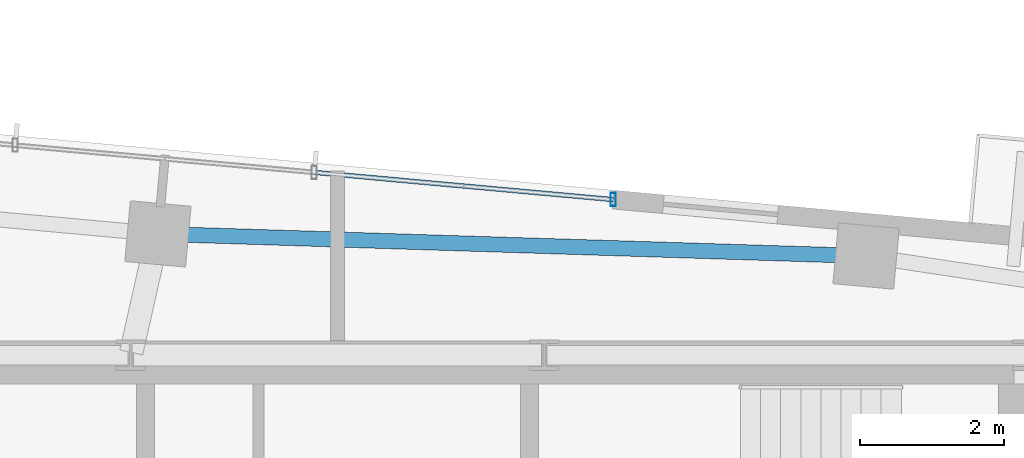
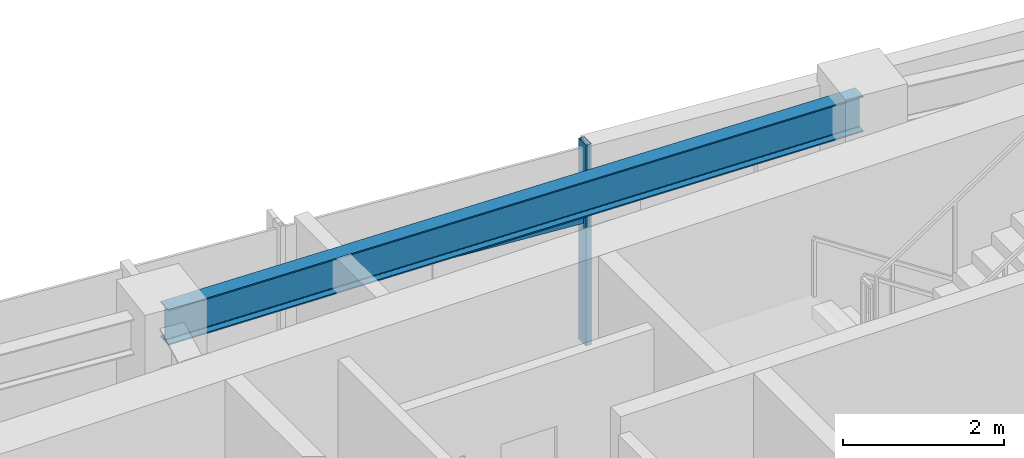
# One storey, part 11 of 22: 2 members, 1 beam, 1 element without a shape of its own.
"""IFC4 building model written with IfcOpenShell, lengths in metres."""

import ifcopenshell
import ifcopenshell.guid

model = None  # the IFC model being written
_history = None  # IfcOwnerHistory: only IFC2X3 demands one
_inside = {}  # id of a spatial element -> (the spatial element, [elements in it])
_under = {}  # id of a project, library or spatial element -> (it, [spatial elements below it])
_declared = {}  # id of a project -> (the project, [libraries it declares])
_typed = {}  # id of a type object -> (the type object, [elements of that type])
_made_of = {}  # id of a material, layer set ... -> (it, [elements and type objects made of it])


def new_model(schema):
    """Start an empty IFC model of exactly this schema.

    Asked for "IFC4X3", IfcOpenShell would pick the latest addendum, in which some entities
    have other attributes; the version numbers below select the first issue.
    IFC2X3 requires an IfcOwnerHistory on every rooted entity: one is made here for all.
    """
    global model, _history
    if schema == "IFC4X3":
        model = ifcopenshell.file(schema_version=(4, 3, 0, 0))
    else:
        model = ifcopenshell.file(schema=schema)
    _inside.clear()
    _under.clear()
    _declared.clear()
    _typed.clear()
    _made_of.clear()
    _history = None
    if model.schema == "IFC2X3":
        org = make("IfcOrganization", Name="unknown")
        user = make(
            "IfcPersonAndOrganization",
            ThePerson=make("IfcPerson", FamilyName="unknown"),
            TheOrganization=org,
        )
        app = make(
            "IfcApplication",
            ApplicationDeveloper=org,
            Version="unknown",
            ApplicationFullName="unknown",
            ApplicationIdentifier="unknown",
        )
        _history = make(
            "IfcOwnerHistory",
            OwningUser=user,
            OwningApplication=app,
            ChangeAction="ADDED",
            CreationDate=0,
        )
    return model


def make(cls, **values):
    """One entity of the class cls with the attributes given. An attribute that is None is left unset."""
    return model.create_entity(
        cls, **{name: value for name, value in values.items() if value is not None}
    )


def rooted(cls, **values):
    """An entity with a GlobalId (a new one), such as an element, a storey or a relation."""
    return make(cls, GlobalId=ifcopenshell.guid.new(), OwnerHistory=_history, **values)


def si_unit(unit_type, name, prefix=None):
    """IfcSIUnit, for example si_unit("LENGTHUNIT", "METRE", prefix="MILLI")."""
    return make("IfcSIUnit", UnitType=unit_type, Prefix=prefix, Name=name)


def assignment(units):
    """IfcUnitAssignment: the units of a project."""
    return None if units is None else make("IfcUnitAssignment", Units=units)


def point(xyz):
    """IfcCartesianPoint."""
    return None if xyz is None else make("IfcCartesianPoint", Coordinates=xyz)


def direction(xyz):
    """IfcDirection."""
    return None if xyz is None else make("IfcDirection", DirectionRatios=xyz)


def frame(location, z_axis=None, x_axis=None):
    """IfcAxis2Placement3D, a coordinate frame: its origin and axes. An axis left out is left unset."""
    return make(
        "IfcAxis2Placement3D",
        Location=point(location),
        Axis=direction(z_axis),
        RefDirection=direction(x_axis),
    )


def frame_2d(location, x_axis=None):
    """IfcAxis2Placement2D, a coordinate frame in the plane: its origin and x axis."""
    return make(
        "IfcAxis2Placement2D", Location=point(location), RefDirection=direction(x_axis)
    )


def origin():
    """The frame at (0, 0, 0) with its axes left unset."""
    return frame((0.0, 0.0, 0.0))


def origin_2d():
    """The frame at (0, 0) in the plane with its x axis left unset."""
    return frame_2d((0.0, 0.0))


def place(relative_to, where):
    """IfcLocalPlacement: puts the frame where relative to a parent placement (None: the world)."""
    return make(
        "IfcLocalPlacement", PlacementRelTo=relative_to, RelativePlacement=where
    )


def context(
    kind, dimensions, precision=None, world=None, true_north=None, identifier=None
):
    """IfcGeometricRepresentationContext, for example the 3D "Model" context."""
    return make(
        "IfcGeometricRepresentationContext",
        ContextIdentifier=identifier,
        ContextType=kind,
        CoordinateSpaceDimension=dimensions,
        Precision=precision,
        WorldCoordinateSystem=world,
        TrueNorth=true_north,
    )


def subcontext(parent, identifier, kind, view, scale=None):
    """IfcGeometricRepresentationSubContext, for example "Body" below "Model"."""
    return make(
        "IfcGeometricRepresentationSubContext",
        ContextIdentifier=identifier,
        ContextType=kind,
        ParentContext=parent,
        TargetScale=scale,
        TargetView=view,
    )


def project(units=None, contexts=None):
    """IfcProject with its units and contexts."""
    return rooted(
        "IfcProject",
        Name="project",
        RepresentationContexts=contexts,
        UnitsInContext=assignment(units),
    )


def spatial(cls, under=None, at=None, **own):
    """A site, building, storey or space (cls), placed at a placement, below another one or the project."""
    s = rooted(cls, ObjectPlacement=at, **own)
    if under is not None:
        _under.setdefault(under.id(), (under, []))[1].append(s)
    return s


def profile(cls, at=None, kind="AREA", **sizes):
    """A parametric profile (cls). Its sizes go by their IFC names, for example OverallWidth=200.0."""
    return make(cls, ProfileType=kind, Position=at, **sizes)


def hollow_rectangle(**sizes):
    """IfcRectangleHollowProfileDef."""
    return profile("IfcRectangleHollowProfileDef", **sizes)


def i_section(**sizes):
    """IfcIShapeProfileDef."""
    return profile("IfcIShapeProfileDef", **sizes)


def extrude(swept, where, along, depth):
    """IfcExtrudedAreaSolid: the profile swept, set in the frame where, extruded along a direction by depth."""
    return make(
        "IfcExtrudedAreaSolid",
        SweptArea=swept,
        Position=where,
        ExtrudedDirection=direction(along),
        Depth=depth,
    )


def shape(context_of_items, identifier, shape_type, items):
    """IfcShapeRepresentation: the items that make up one representation, for example the "Body"."""
    return make(
        "IfcShapeRepresentation",
        ContextOfItems=context_of_items,
        RepresentationIdentifier=identifier,
        RepresentationType=shape_type,
        Items=items,
    )


def source(mapping_origin, context_of_items, identifier, shape_type, items):
    """IfcRepresentationMap: a shape defined once, which mapped items show again and again."""
    return make(
        "IfcRepresentationMap",
        MappingOrigin=mapping_origin,
        MappedRepresentation=shape(context_of_items, identifier, shape_type, items),
    )


def transform(
    local_origin,
    x_axis=None,
    y_axis=None,
    z_axis=None,
    scale=None,
    scale2=None,
    scale3=None,
    uniform=True,
):
    """IfcCartesianTransformationOperator3D, or its non-uniform kind. x_axis, y_axis, z_axis: its Axis1, 2, 3."""
    if uniform:
        return make(
            "IfcCartesianTransformationOperator3D",
            Axis1=direction(x_axis),
            Axis2=direction(y_axis),
            LocalOrigin=point(local_origin),
            Scale=scale,
            Axis3=direction(z_axis),
        )
    return make(
        "IfcCartesianTransformationOperator3DnonUniform",
        Axis1=direction(x_axis),
        Axis2=direction(y_axis),
        LocalOrigin=point(local_origin),
        Scale=scale,
        Axis3=direction(z_axis),
        Scale2=scale2,
        Scale3=scale3,
    )


def mapped(mapping_source, mapping_target):
    """IfcMappedItem: shows the shape of a source again, moved by a transform."""
    return make(
        "IfcMappedItem", MappingSource=mapping_source, MappingTarget=mapping_target
    )


def material(Name=None, Category=None):
    """IfcMaterial."""
    return make("IfcMaterial", Name=Name, Category=Category)


def material_profile(
    of_material, cross_section, Name=None, Category=None, Priority=None
):
    """IfcMaterialProfile: a cross section and its material."""
    return make(
        "IfcMaterialProfile",
        Name=Name,
        Material=of_material,
        Profile=cross_section,
        Priority=Priority,
        Category=Category,
    )


def profile_set(profiles, Name=None, composite=None):
    """IfcMaterialProfileSet."""
    return make(
        "IfcMaterialProfileSet",
        Name=Name,
        MaterialProfiles=profiles,
        CompositeProfile=composite,
    )


def made_of(thing, what):
    """Note that an element or type object is made of a material, layer set ...; save() writes the relation."""
    if what is not None:
        _made_of.setdefault(what.id(), (what, []))[1].append(thing)
    return thing


def type_object(cls, material=None, **own):
    """A type object (cls), such as IfcWallType, which elements share."""
    return made_of(rooted(cls, **own), material)


def type_shapes(of_type, sources):
    """Give a type object the sources (RepresentationMaps) that its elements show as mapped items."""
    of_type.RepresentationMaps = sources


def element(
    cls,
    number,
    at=None,
    inside=None,
    cuts=None,
    type_object=None,
    material=None,
    context=None,
    identifier="Body",
    shape_type=None,
    held_by="IfcProductDefinitionShape",
    body=None,
    shapes=None,
    **own,
):
    """One element of the class cls, such as IfcWall. Its Tag is "e" and its number.

    at: its placement. inside: the storey or other place that contains it. cuts: it is an
    opening in that element (IfcRelVoidsElement). A single representation is given by context,
    identifier, shape_type and body (its items); several are given by shapes. held_by: the class
    of the entity that holds the representations. save() writes the other relations.
    """
    e = rooted(cls, Tag="e%d" % number, ObjectPlacement=at, **own)
    if body is not None:
        shapes = [shape(context, identifier, shape_type, body)]
    if shapes is not None:
        e.Representation = make(held_by, Representations=shapes)
    if inside is not None:
        _inside.setdefault(inside.id(), (inside, []))[1].append(e)
    if cuts is not None:
        rooted(
            "IfcRelVoidsElement", RelatingBuildingElement=cuts, RelatedOpeningElement=e
        )
    if type_object is not None:
        _typed.setdefault(type_object.id(), (type_object, []))[1].append(e)
    return made_of(e, material)


def aggregate(whole, parts):
    """IfcRelAggregates: a whole, such as a stair, and the parts it consists of."""
    return rooted("IfcRelAggregates", RelatingObject=whole, RelatedObjects=parts)


def save(model, path):
    """Write the relations noted so far, then the file.

    IfcRelAggregates (storeys below a building ...), IfcRelContainedInSpatialStructure (elements
    in a storey), IfcRelDefinesByType, IfcRelAssociatesMaterial and IfcRelDeclares: one each for
    every whole, place, type object, material and project.
    """
    for whole, parts in _under.values():
        aggregate(whole, parts)
    for where, things in _inside.values():
        rooted(
            "IfcRelContainedInSpatialStructure",
            RelatedElements=things,
            RelatingStructure=where,
        )
    for kind, things in _typed.values():
        rooted("IfcRelDefinesByType", RelatedObjects=things, RelatingType=kind)
    for what, things in _made_of.values():
        rooted("IfcRelAssociatesMaterial", RelatedObjects=things, RelatingMaterial=what)
    for by, libraries in _declared.values():
        rooted("IfcRelDeclares", RelatingContext=by, RelatedDefinitions=libraries)
    model.write(path)


model = new_model("IFC4")

# Units and contexts
model_context = context("Model", 3, precision=1e-05, world=origin(), true_north=direction((0.0, 1.0)))
body_context = subcontext(model_context, "Body", "Model", "MODEL_VIEW")
ifc_project = project(units=[si_unit("LENGTHUNIT", "METRE"), si_unit("AREAUNIT", "SQUARE_METRE"), si_unit("VOLUMEUNIT", "CUBIC_METRE"), si_unit("PLANEANGLEUNIT", "RADIAN"), si_unit("MASSUNIT", "GRAM", prefix="KILO")], contexts=[model_context])

# Site, building, storey
site_placement = place(None, origin())
site = spatial("IfcSite", under=ifc_project, at=site_placement, CompositionType="ELEMENT")
building_placement = place(site_placement, origin())
building = spatial("IfcBuilding", under=site, at=building_placement, Name="Astriad Promenade Condominiums", CompositionType="ELEMENT")
storey_placement = place(building_placement, frame((0.0, 0.0, 226.5)))
storey = spatial("IfcBuildingStorey", under=building, at=storey_placement, Name="L65", CompositionType="ELEMENT", Elevation=226.5)

# Beam
ifc_material_1 = material(Name="Steel ASTM A992 Grade 50", Category="steel")
ifc_material_profile_1 = material_profile(ifc_material_1, i_section(OverallWidth=0.210693359375, OverallDepth=0.53955078125, WebThickness=0.01171875, FlangeThickness=0.018798828125, FilletRadius=0.0166015625, at=origin_2d()), Name="W21X73")
ifc_profile_set_1 = profile_set([ifc_material_profile_1], Name="Steel ASTM A992 Grade 50")
beam_type = type_object("IfcBeamType", Name="STEEL SPANDREL BEAM W21X73", PredefinedType="SPANDREL", material=ifc_profile_set_1)
shared_shape_1 = source(origin(), body_context, "Body", "SweptSolid", [
    extrude(i_section(OverallWidth=0.210693359375, OverallDepth=0.53955078125, WebThickness=0.01171875, FlangeThickness=0.018798828125, FilletRadius=0.0166015625, at=origin_2d()), origin(), (0.0, 0.0, 1.0), 9.783935546875),
])
type_shapes(beam_type, [shared_shape_1])
beam_placement = place(storey_placement, frame((43.31884765625, 25.381103515625, 2.770263671875), z_axis=(-0.999511077438, 0.031266692798, 0.0), x_axis=(-0.031266692798, -0.999511077438, 0.0)))
element("IfcBeam", 1, at=beam_placement, inside=storey, type_object=beam_type, Name="Perimeter Spandrel Beam SP-N3-L65", PredefinedType="SPANDREL", context=body_context, shape_type="MappedRepresentation", body=[
    mapped(shared_shape_1, transform((0.0, 0.0, 0.0), scale=1.0)),
])

# Curtain wall, members
ifc_material_2 = material(Name="Anodised aluminium Black Dark Glass Unitised", Category="aluminium")
curtain_wall_type = type_object("IfcCurtainWallType", Name="CW-B5-DARK", PredefinedType="USERDEFINED", material=ifc_material_2)
curtain_wall_placement = place(storey_placement, origin())
curtain_wall = element("IfcCurtainWall", 2, at=curtain_wall_placement, inside=storey, type_object=curtain_wall_type, Name="CW-L65-N", ObjectType="UNITISED_CURTAIN_WALL", PredefinedType="USERDEFINED")
ifc_material_3 = material(Name="Anodised aluminium 6063-T6 Black", Category="aluminium")
ifc_material_profile_2 = material_profile(ifc_material_3, hollow_rectangle(XDim=0.06494140625, YDim=0.1298828125, WallThickness=0.00390625, at=origin_2d()), Name="ALU-TRN-65X130")
ifc_profile_set_2 = profile_set([ifc_material_profile_2], Name="Anodised aluminium 6063-T6 Black")
member_type_1 = type_object("IfcMemberType", Name="TRN-ALU-TRN-65X130", PredefinedType="USERDEFINED", material=ifc_profile_set_2)
shared_shape_2 = source(origin(), body_context, "Body", "SweptSolid", [
    extrude(hollow_rectangle(XDim=0.06494140625, YDim=0.1298828125, WallThickness=0.00390625, at=origin_2d()), origin(), (0.0, 0.0, 1.0), 4.179931640625),
])
type_shapes(member_type_1, [shared_shape_2])
member_1_placement = place(storey_placement, frame((35.67626953125, 26.54443359375, 1.884765625), z_axis=(0.995883146811, -0.090646334165, 0.0), x_axis=(0.090646334165, 0.995883146811, 0.0)))
member_1 = element("IfcMember", 3, at=member_1_placement, type_object=member_type_1, Name="CW-L65-N-TRN-02-0", ObjectType="TRANSOM", PredefinedType="USERDEFINED", context=body_context, shape_type="MappedRepresentation", body=[
    mapped(shared_shape_2, transform((0.0, 0.0, 0.0), scale=1.0)),
])
ifc_material_profile_3 = material_profile(ifc_material_3, hollow_rectangle(XDim=0.074951171875, YDim=0.18505859375, WallThickness=0.00439453125, at=origin_2d()), Name="ALU-MUL-75X185")
ifc_profile_set_3 = profile_set([ifc_material_profile_3], Name="Anodised aluminium 6063-T6 Black")
member_type_2 = type_object("IfcMemberType", Name="MUL-ALU-MUL-75X185", PredefinedType="MULLION", material=ifc_profile_set_3)
shared_shape_3 = source(origin(), body_context, "Body", "SweptSolid", [
    extrude(hollow_rectangle(XDim=0.074951171875, YDim=0.18505859375, WallThickness=0.00439453125, at=origin_2d()), origin(), (0.0, 0.0, 1.0), 3.0400390625),
])
type_shapes(member_type_2, [shared_shape_3])
member_2_placement = place(storey_placement, frame((39.839111328125, 26.16552734375, 0.0), z_axis=(0.0, 0.0, 1.0), x_axis=(1.0, 0.0, 0.0)))
member_2 = element("IfcMember", 4, at=member_2_placement, type_object=member_type_2, Name="CW-L65-N-MUL-03", PredefinedType="MULLION", context=body_context, shape_type="MappedRepresentation", body=[
    mapped(shared_shape_3, transform((0.0, 0.0, 0.0), scale=1.0)),
])
aggregate(curtain_wall, [member_2, member_1])

save(model, "model.ifc")
